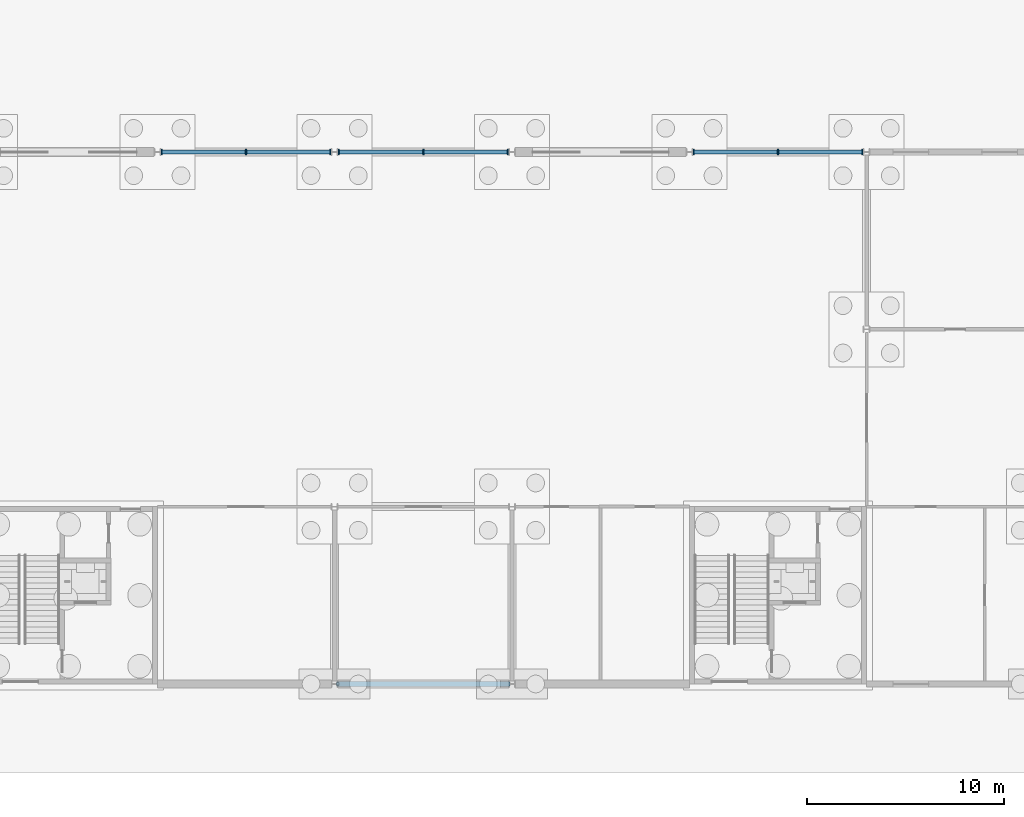
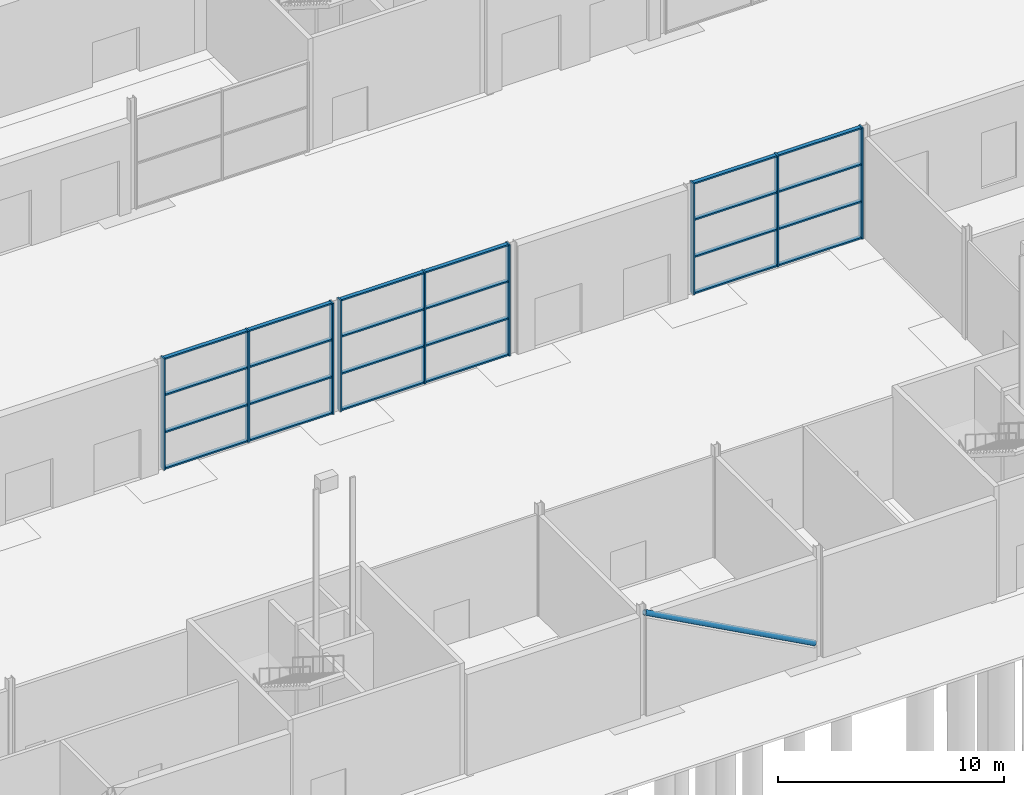
# One storey, part 48 of 97: 34 members, 3 elements without a shape of their own.
"""IFC4 building model written with IfcOpenShell, lengths in metres."""

from ifc_helpers import new_model, si_unit, direction, frame, origin, origin_2d, place, context, subcontext, project, spatial, rectangle, hollow_circle, extrude, material, layer, layer_set, material_profile, profile_set, type_object, element, aggregate, save


model = new_model("IFC4")

# Units and contexts
model_context = context("Model", 3, precision=1e-05, world=origin(), true_north=direction((0.0, 1.0)))
body_context = subcontext(model_context, "Body", "Model", "MODEL_VIEW")
ifc_project = project(units=[si_unit("LENGTHUNIT", "METRE"), si_unit("AREAUNIT", "SQUARE_METRE"), si_unit("VOLUMEUNIT", "CUBIC_METRE"), si_unit("PLANEANGLEUNIT", "RADIAN"), si_unit("MASSUNIT", "GRAM", prefix="KILO")], contexts=[model_context])

# Site, building, storey
site_placement = place(None, origin())
site = spatial("IfcSite", under=ifc_project, at=site_placement, CompositionType="ELEMENT")
building_placement = place(site_placement, origin())
building = spatial("IfcBuilding", under=site, at=building_placement, Name="Corbel Yard City Hall", CompositionType="ELEMENT")
storey_placement = place(building_placement, origin())
storey = spatial("IfcBuildingStorey", under=building, at=storey_placement, Name="L00", CompositionType="ELEMENT", Elevation=0.0)

# Member
ifc_material_1 = material(Name="Steel Grade C350L0", Category="steel")
ifc_material_profile_1 = material_profile(ifc_material_1, hollow_circle(Radius=0.136474609375, WallThickness=0.00927734375, at=origin_2d()), Name="273.1x9.3CHS")
ifc_profile_set_1 = profile_set([ifc_material_profile_1], Name="Steel Grade C350L0")
member_type_1 = type_object("IfcMemberType", Name="Braced bay diagonal 273.1x9.3CHS", PredefinedType="BRACE", material=ifc_profile_set_1)
member_1_placement = place(storey_placement, frame((135.157470703125, 0.0, 5.5), z_axis=(0.879480850813, 0.0, -0.47593427388), x_axis=(0.0, 1.0, 0.0)))
element("IfcMember", 1, at=member_1_placement, inside=storey, type_object=member_type_1, Name="Brace 273.1x9.3CHS BR1", PredefinedType="BRACE", context=body_context, shape_type="SweptSolid", body=[
    extrude(hollow_circle(Radius=0.136474609375, WallThickness=0.00927734375, at=origin_2d()), origin(), (0.0, 0.0, 1.0), 9.875244140625),
])

# Curtain wall, members
ifc_material_2 = material(Name="Aluminium extrusion", Category="aluminium")
ifc_layer = layer(ifc_material_2, 0.300048828125)
ifc_layer_set = layer_set([ifc_layer], Name="Aluminium extrusion")
curtain_wall_type = type_object("IfcCurtainWallType", Name="CW7", PredefinedType="USERDEFINED", material=ifc_layer_set)
curtain_wall_1_placement = place(storey_placement, origin())
curtain_wall_1 = element("IfcCurtainWall", 2, at=curtain_wall_1_placement, inside=storey, type_object=curtain_wall_type, Name="Curtain wall CW7 L00", ObjectType="CURTAIN WALL", PredefinedType="USERDEFINED")
ifc_material_profile_2 = material_profile(ifc_material_2, rectangle(XDim=0.300048828125, YDim=0.080078125, at=origin_2d()), Name="300x80")
ifc_profile_set_2 = profile_set([ifc_material_profile_2], Name="Aluminium extrusion")
member_type_2 = type_object("IfcMemberType", Name="ML7", PredefinedType="MULLION", material=ifc_profile_set_2)
member_2_placement = place(storey_placement, frame((126.20361328125, 27.0, 0.0), z_axis=(0.0, 0.0, 1.0), x_axis=(0.0, 1.0, 0.0)))
member_2 = element("IfcMember", 3, at=member_2_placement, type_object=member_type_2, Name="CW7 mullion 1", PredefinedType="MULLION", context=body_context, shape_type="SweptSolid", body=[
    extrude(rectangle(XDim=0.300048828125, YDim=0.080078125, at=origin_2d()), origin(), (0.0, 0.0, 1.0), 6.0),
])
member_3_placement = place(storey_placement, frame((130.5, 27.0, 0.0), z_axis=(0.0, 0.0, 1.0), x_axis=(0.0, 1.0, 0.0)))
member_3 = element("IfcMember", 4, at=member_3_placement, type_object=member_type_2, Name="CW7 mullion 2", PredefinedType="MULLION", context=body_context, shape_type="SweptSolid", body=[
    extrude(rectangle(XDim=0.300048828125, YDim=0.080078125, at=origin_2d()), origin(), (0.0, 0.0, 1.0), 6.0),
])
member_4_placement = place(storey_placement, frame((134.79638671875, 27.0, 0.0), z_axis=(0.0, 0.0, 1.0), x_axis=(0.0, 1.0, 0.0)))
member_4 = element("IfcMember", 5, at=member_4_placement, type_object=member_type_2, Name="CW7 mullion 3", PredefinedType="MULLION", context=body_context, shape_type="SweptSolid", body=[
    extrude(rectangle(XDim=0.300048828125, YDim=0.080078125, at=origin_2d()), origin(), (0.0, 0.0, 1.0), 6.0),
])

curtain_wall_2_placement = place(storey_placement, origin())
curtain_wall_2 = element("IfcCurtainWall", 6, at=curtain_wall_2_placement, inside=storey, type_object=curtain_wall_type, Name="Curtain wall CW7 L00", ObjectType="CURTAIN WALL", PredefinedType="USERDEFINED")
member_5_placement = place(storey_placement, frame((135.20361328125, 27.0, 0.0), z_axis=(0.0, 0.0, 1.0), x_axis=(0.0, 1.0, 0.0)))
member_5 = element("IfcMember", 7, at=member_5_placement, type_object=member_type_2, Name="CW7 mullion 1", PredefinedType="MULLION", context=body_context, shape_type="SweptSolid", body=[
    extrude(rectangle(XDim=0.300048828125, YDim=0.080078125, at=origin_2d()), origin(), (0.0, 0.0, 1.0), 6.0),
])
member_6_placement = place(storey_placement, frame((139.5, 27.0, 0.0), z_axis=(0.0, 0.0, 1.0), x_axis=(0.0, 1.0, 0.0)))
member_6 = element("IfcMember", 8, at=member_6_placement, type_object=member_type_2, Name="CW7 mullion 2", PredefinedType="MULLION", context=body_context, shape_type="SweptSolid", body=[
    extrude(rectangle(XDim=0.300048828125, YDim=0.080078125, at=origin_2d()), origin(), (0.0, 0.0, 1.0), 6.0),
])
member_7_placement = place(storey_placement, frame((143.79638671875, 27.0, 0.0), z_axis=(0.0, 0.0, 1.0), x_axis=(0.0, 1.0, 0.0)))
member_7 = element("IfcMember", 9, at=member_7_placement, type_object=member_type_2, Name="CW7 mullion 3", PredefinedType="MULLION", context=body_context, shape_type="SweptSolid", body=[
    extrude(rectangle(XDim=0.300048828125, YDim=0.080078125, at=origin_2d()), origin(), (0.0, 0.0, 1.0), 6.0),
])

curtain_wall_3_placement = place(storey_placement, origin())
curtain_wall_3 = element("IfcCurtainWall", 10, at=curtain_wall_3_placement, inside=storey, type_object=curtain_wall_type, Name="Curtain wall CW7 L00", ObjectType="CURTAIN WALL", PredefinedType="USERDEFINED")
member_8_placement = place(storey_placement, frame((153.20361328125, 27.0, 0.0), z_axis=(0.0, 0.0, 1.0), x_axis=(0.0, 1.0, 0.0)))
member_8 = element("IfcMember", 11, at=member_8_placement, type_object=member_type_2, Name="CW7 mullion 1", PredefinedType="MULLION", context=body_context, shape_type="SweptSolid", body=[
    extrude(rectangle(XDim=0.300048828125, YDim=0.080078125, at=origin_2d()), origin(), (0.0, 0.0, 1.0), 6.0),
])
member_9_placement = place(storey_placement, frame((157.5, 27.0, 0.0), z_axis=(0.0, 0.0, 1.0), x_axis=(0.0, 1.0, 0.0)))
member_9 = element("IfcMember", 12, at=member_9_placement, type_object=member_type_2, Name="CW7 mullion 2", PredefinedType="MULLION", context=body_context, shape_type="SweptSolid", body=[
    extrude(rectangle(XDim=0.300048828125, YDim=0.080078125, at=origin_2d()), origin(), (0.0, 0.0, 1.0), 6.0),
])
member_10_placement = place(storey_placement, frame((161.79638671875, 27.0, 0.0), z_axis=(0.0, 0.0, 1.0), x_axis=(0.0, 1.0, 0.0)))
member_10 = element("IfcMember", 13, at=member_10_placement, type_object=member_type_2, Name="CW7 mullion 3", PredefinedType="MULLION", context=body_context, shape_type="SweptSolid", body=[
    extrude(rectangle(XDim=0.300048828125, YDim=0.080078125, at=origin_2d()), origin(), (0.0, 0.0, 1.0), 6.0),
])

# Member
ifc_material_profile_3 = material_profile(ifc_material_2, rectangle(XDim=0.199951171875, YDim=0.080078125, at=origin_2d()), Name="200x80")
ifc_profile_set_3 = profile_set([ifc_material_profile_3], Name="Aluminium extrusion")
member_type_3 = type_object("IfcMemberType", Name="TR7", PredefinedType="USERDEFINED", material=ifc_profile_set_3)
member_11_placement = place(storey_placement, frame((126.243408203125, 27.0, 0.0400390625), z_axis=(1.0, 0.0, 0.0), x_axis=(0.0, 1.0, 0.0)))
member_11 = element("IfcMember", 14, at=member_11_placement, type_object=member_type_3, Name="CW7 transom 1.1", ObjectType="TRANSOM", PredefinedType="USERDEFINED", context=body_context, shape_type="SweptSolid", body=[
    extrude(rectangle(XDim=0.199951171875, YDim=0.080078125, at=origin_2d()), origin(), (0.0, 0.0, 1.0), 4.216552734375),
])

member_12_placement = place(storey_placement, frame((126.243408203125, 27.0, 2.0), z_axis=(1.0, 0.0, 0.0), x_axis=(0.0, 1.0, 0.0)))
member_12 = element("IfcMember", 15, at=member_12_placement, type_object=member_type_3, Name="CW7 transom 1.2", ObjectType="TRANSOM", PredefinedType="USERDEFINED", context=body_context, shape_type="SweptSolid", body=[
    extrude(rectangle(XDim=0.199951171875, YDim=0.080078125, at=origin_2d()), origin(), (0.0, 0.0, 1.0), 4.216552734375),
])

member_13_placement = place(storey_placement, frame((126.243408203125, 27.0, 4.0), z_axis=(1.0, 0.0, 0.0), x_axis=(0.0, 1.0, 0.0)))
member_13 = element("IfcMember", 16, at=member_13_placement, type_object=member_type_3, Name="CW7 transom 1.3", ObjectType="TRANSOM", PredefinedType="USERDEFINED", context=body_context, shape_type="SweptSolid", body=[
    extrude(rectangle(XDim=0.199951171875, YDim=0.080078125, at=origin_2d()), origin(), (0.0, 0.0, 1.0), 4.216552734375),
])

member_14_placement = place(storey_placement, frame((126.243408203125, 27.0, 5.9599609375), z_axis=(1.0, 0.0, 0.0), x_axis=(0.0, 1.0, 0.0)))
member_14 = element("IfcMember", 17, at=member_14_placement, type_object=member_type_3, Name="CW7 transom 1.4", ObjectType="TRANSOM", PredefinedType="USERDEFINED", context=body_context, shape_type="SweptSolid", body=[
    extrude(rectangle(XDim=0.199951171875, YDim=0.080078125, at=origin_2d()), origin(), (0.0, 0.0, 1.0), 4.216552734375),
])

member_15_placement = place(storey_placement, frame((130.5400390625, 27.0, 0.0400390625), z_axis=(1.0, 0.0, 0.0), x_axis=(0.0, 1.0, 0.0)))
member_15 = element("IfcMember", 18, at=member_15_placement, type_object=member_type_3, Name="CW7 transom 2.1", ObjectType="TRANSOM", PredefinedType="USERDEFINED", context=body_context, shape_type="SweptSolid", body=[
    extrude(rectangle(XDim=0.199951171875, YDim=0.080078125, at=origin_2d()), origin(), (0.0, 0.0, 1.0), 4.216552734375),
])

member_16_placement = place(storey_placement, frame((130.5400390625, 27.0, 2.0), z_axis=(1.0, 0.0, 0.0), x_axis=(0.0, 1.0, 0.0)))
member_16 = element("IfcMember", 19, at=member_16_placement, type_object=member_type_3, Name="CW7 transom 2.2", ObjectType="TRANSOM", PredefinedType="USERDEFINED", context=body_context, shape_type="SweptSolid", body=[
    extrude(rectangle(XDim=0.199951171875, YDim=0.080078125, at=origin_2d()), origin(), (0.0, 0.0, 1.0), 4.216552734375),
])

member_17_placement = place(storey_placement, frame((130.5400390625, 27.0, 4.0), z_axis=(1.0, 0.0, 0.0), x_axis=(0.0, 1.0, 0.0)))
member_17 = element("IfcMember", 20, at=member_17_placement, type_object=member_type_3, Name="CW7 transom 2.3", ObjectType="TRANSOM", PredefinedType="USERDEFINED", context=body_context, shape_type="SweptSolid", body=[
    extrude(rectangle(XDim=0.199951171875, YDim=0.080078125, at=origin_2d()), origin(), (0.0, 0.0, 1.0), 4.216552734375),
])

member_18_placement = place(storey_placement, frame((130.5400390625, 27.0, 5.9599609375), z_axis=(1.0, 0.0, 0.0), x_axis=(0.0, 1.0, 0.0)))
member_18 = element("IfcMember", 21, at=member_18_placement, type_object=member_type_3, Name="CW7 transom 2.4", ObjectType="TRANSOM", PredefinedType="USERDEFINED", context=body_context, shape_type="SweptSolid", body=[
    extrude(rectangle(XDim=0.199951171875, YDim=0.080078125, at=origin_2d()), origin(), (0.0, 0.0, 1.0), 4.216552734375),
])

aggregate(curtain_wall_1, [member_2, member_3, member_4, member_11, member_12, member_13, member_14, member_15, member_16, member_17, member_18])

member_19_placement = place(storey_placement, frame((135.243408203125, 27.0, 0.0400390625), z_axis=(1.0, 0.0, 0.0), x_axis=(0.0, 1.0, 0.0)))
member_19 = element("IfcMember", 22, at=member_19_placement, type_object=member_type_3, Name="CW7 transom 1.1", ObjectType="TRANSOM", PredefinedType="USERDEFINED", context=body_context, shape_type="SweptSolid", body=[
    extrude(rectangle(XDim=0.199951171875, YDim=0.080078125, at=origin_2d()), origin(), (0.0, 0.0, 1.0), 4.216552734375),
])

member_20_placement = place(storey_placement, frame((135.243408203125, 27.0, 2.0), z_axis=(1.0, 0.0, 0.0), x_axis=(0.0, 1.0, 0.0)))
member_20 = element("IfcMember", 23, at=member_20_placement, type_object=member_type_3, Name="CW7 transom 1.2", ObjectType="TRANSOM", PredefinedType="USERDEFINED", context=body_context, shape_type="SweptSolid", body=[
    extrude(rectangle(XDim=0.199951171875, YDim=0.080078125, at=origin_2d()), origin(), (0.0, 0.0, 1.0), 4.216552734375),
])

member_21_placement = place(storey_placement, frame((135.243408203125, 27.0, 4.0), z_axis=(1.0, 0.0, 0.0), x_axis=(0.0, 1.0, 0.0)))
member_21 = element("IfcMember", 24, at=member_21_placement, type_object=member_type_3, Name="CW7 transom 1.3", ObjectType="TRANSOM", PredefinedType="USERDEFINED", context=body_context, shape_type="SweptSolid", body=[
    extrude(rectangle(XDim=0.199951171875, YDim=0.080078125, at=origin_2d()), origin(), (0.0, 0.0, 1.0), 4.216552734375),
])

member_22_placement = place(storey_placement, frame((135.243408203125, 27.0, 5.9599609375), z_axis=(1.0, 0.0, 0.0), x_axis=(0.0, 1.0, 0.0)))
member_22 = element("IfcMember", 25, at=member_22_placement, type_object=member_type_3, Name="CW7 transom 1.4", ObjectType="TRANSOM", PredefinedType="USERDEFINED", context=body_context, shape_type="SweptSolid", body=[
    extrude(rectangle(XDim=0.199951171875, YDim=0.080078125, at=origin_2d()), origin(), (0.0, 0.0, 1.0), 4.216552734375),
])

member_23_placement = place(storey_placement, frame((139.5400390625, 27.0, 0.0400390625), z_axis=(1.0, 0.0, 0.0), x_axis=(0.0, 1.0, 0.0)))
member_23 = element("IfcMember", 26, at=member_23_placement, type_object=member_type_3, Name="CW7 transom 2.1", ObjectType="TRANSOM", PredefinedType="USERDEFINED", context=body_context, shape_type="SweptSolid", body=[
    extrude(rectangle(XDim=0.199951171875, YDim=0.080078125, at=origin_2d()), origin(), (0.0, 0.0, 1.0), 4.216552734375),
])

member_24_placement = place(storey_placement, frame((139.5400390625, 27.0, 2.0), z_axis=(1.0, 0.0, 0.0), x_axis=(0.0, 1.0, 0.0)))
member_24 = element("IfcMember", 27, at=member_24_placement, type_object=member_type_3, Name="CW7 transom 2.2", ObjectType="TRANSOM", PredefinedType="USERDEFINED", context=body_context, shape_type="SweptSolid", body=[
    extrude(rectangle(XDim=0.199951171875, YDim=0.080078125, at=origin_2d()), origin(), (0.0, 0.0, 1.0), 4.216552734375),
])

member_25_placement = place(storey_placement, frame((139.5400390625, 27.0, 4.0), z_axis=(1.0, 0.0, 0.0), x_axis=(0.0, 1.0, 0.0)))
member_25 = element("IfcMember", 28, at=member_25_placement, type_object=member_type_3, Name="CW7 transom 2.3", ObjectType="TRANSOM", PredefinedType="USERDEFINED", context=body_context, shape_type="SweptSolid", body=[
    extrude(rectangle(XDim=0.199951171875, YDim=0.080078125, at=origin_2d()), origin(), (0.0, 0.0, 1.0), 4.216552734375),
])

member_26_placement = place(storey_placement, frame((139.5400390625, 27.0, 5.9599609375), z_axis=(1.0, 0.0, 0.0), x_axis=(0.0, 1.0, 0.0)))
member_26 = element("IfcMember", 29, at=member_26_placement, type_object=member_type_3, Name="CW7 transom 2.4", ObjectType="TRANSOM", PredefinedType="USERDEFINED", context=body_context, shape_type="SweptSolid", body=[
    extrude(rectangle(XDim=0.199951171875, YDim=0.080078125, at=origin_2d()), origin(), (0.0, 0.0, 1.0), 4.216552734375),
])

aggregate(curtain_wall_2, [member_5, member_6, member_7, member_19, member_20, member_21, member_22, member_23, member_24, member_25, member_26])

member_27_placement = place(storey_placement, frame((153.243408203125, 27.0, 0.0400390625), z_axis=(1.0, 0.0, 0.0), x_axis=(0.0, 1.0, 0.0)))
member_27 = element("IfcMember", 30, at=member_27_placement, type_object=member_type_3, Name="CW7 transom 1.1", ObjectType="TRANSOM", PredefinedType="USERDEFINED", context=body_context, shape_type="SweptSolid", body=[
    extrude(rectangle(XDim=0.199951171875, YDim=0.080078125, at=origin_2d()), origin(), (0.0, 0.0, 1.0), 4.216552734375),
])

member_28_placement = place(storey_placement, frame((153.243408203125, 27.0, 2.0), z_axis=(1.0, 0.0, 0.0), x_axis=(0.0, 1.0, 0.0)))
member_28 = element("IfcMember", 31, at=member_28_placement, type_object=member_type_3, Name="CW7 transom 1.2", ObjectType="TRANSOM", PredefinedType="USERDEFINED", context=body_context, shape_type="SweptSolid", body=[
    extrude(rectangle(XDim=0.199951171875, YDim=0.080078125, at=origin_2d()), origin(), (0.0, 0.0, 1.0), 4.216552734375),
])

member_29_placement = place(storey_placement, frame((153.243408203125, 27.0, 4.0), z_axis=(1.0, 0.0, 0.0), x_axis=(0.0, 1.0, 0.0)))
member_29 = element("IfcMember", 32, at=member_29_placement, type_object=member_type_3, Name="CW7 transom 1.3", ObjectType="TRANSOM", PredefinedType="USERDEFINED", context=body_context, shape_type="SweptSolid", body=[
    extrude(rectangle(XDim=0.199951171875, YDim=0.080078125, at=origin_2d()), origin(), (0.0, 0.0, 1.0), 4.216552734375),
])

member_30_placement = place(storey_placement, frame((153.243408203125, 27.0, 5.9599609375), z_axis=(1.0, 0.0, 0.0), x_axis=(0.0, 1.0, 0.0)))
member_30 = element("IfcMember", 33, at=member_30_placement, type_object=member_type_3, Name="CW7 transom 1.4", ObjectType="TRANSOM", PredefinedType="USERDEFINED", context=body_context, shape_type="SweptSolid", body=[
    extrude(rectangle(XDim=0.199951171875, YDim=0.080078125, at=origin_2d()), origin(), (0.0, 0.0, 1.0), 4.216552734375),
])

member_31_placement = place(storey_placement, frame((157.5400390625, 27.0, 0.0400390625), z_axis=(1.0, 0.0, 0.0), x_axis=(0.0, 1.0, 0.0)))
member_31 = element("IfcMember", 34, at=member_31_placement, type_object=member_type_3, Name="CW7 transom 2.1", ObjectType="TRANSOM", PredefinedType="USERDEFINED", context=body_context, shape_type="SweptSolid", body=[
    extrude(rectangle(XDim=0.199951171875, YDim=0.080078125, at=origin_2d()), origin(), (0.0, 0.0, 1.0), 4.216552734375),
])

member_32_placement = place(storey_placement, frame((157.5400390625, 27.0, 2.0), z_axis=(1.0, 0.0, 0.0), x_axis=(0.0, 1.0, 0.0)))
member_32 = element("IfcMember", 35, at=member_32_placement, type_object=member_type_3, Name="CW7 transom 2.2", ObjectType="TRANSOM", PredefinedType="USERDEFINED", context=body_context, shape_type="SweptSolid", body=[
    extrude(rectangle(XDim=0.199951171875, YDim=0.080078125, at=origin_2d()), origin(), (0.0, 0.0, 1.0), 4.216552734375),
])

member_33_placement = place(storey_placement, frame((157.5400390625, 27.0, 4.0), z_axis=(1.0, 0.0, 0.0), x_axis=(0.0, 1.0, 0.0)))
member_33 = element("IfcMember", 36, at=member_33_placement, type_object=member_type_3, Name="CW7 transom 2.3", ObjectType="TRANSOM", PredefinedType="USERDEFINED", context=body_context, shape_type="SweptSolid", body=[
    extrude(rectangle(XDim=0.199951171875, YDim=0.080078125, at=origin_2d()), origin(), (0.0, 0.0, 1.0), 4.216552734375),
])

member_34_placement = place(storey_placement, frame((157.5400390625, 27.0, 5.9599609375), z_axis=(1.0, 0.0, 0.0), x_axis=(0.0, 1.0, 0.0)))
member_34 = element("IfcMember", 37, at=member_34_placement, type_object=member_type_3, Name="CW7 transom 2.4", ObjectType="TRANSOM", PredefinedType="USERDEFINED", context=body_context, shape_type="SweptSolid", body=[
    extrude(rectangle(XDim=0.199951171875, YDim=0.080078125, at=origin_2d()), origin(), (0.0, 0.0, 1.0), 4.216552734375),
])

aggregate(curtain_wall_3, [member_8, member_9, member_10, member_27, member_28, member_29, member_30, member_31, member_32, member_33, member_34])

save(model, "model.ifc")
